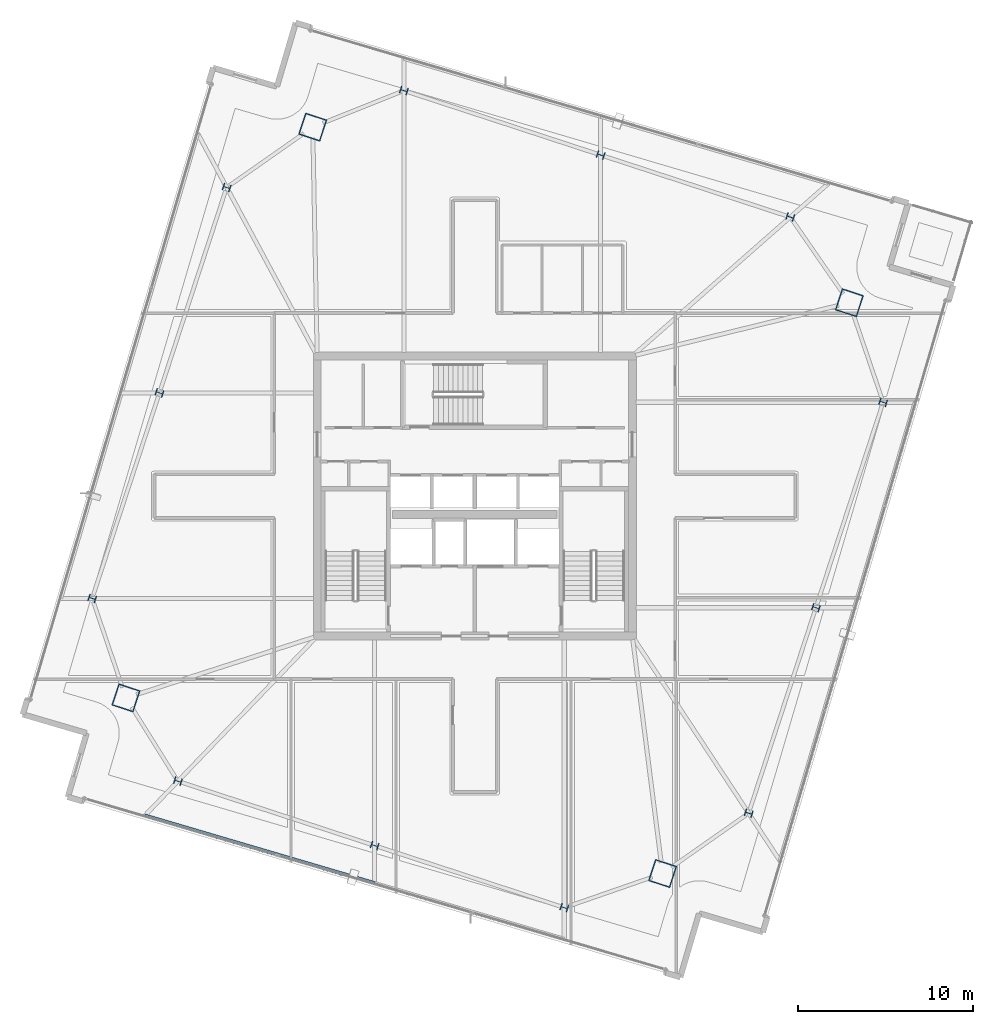
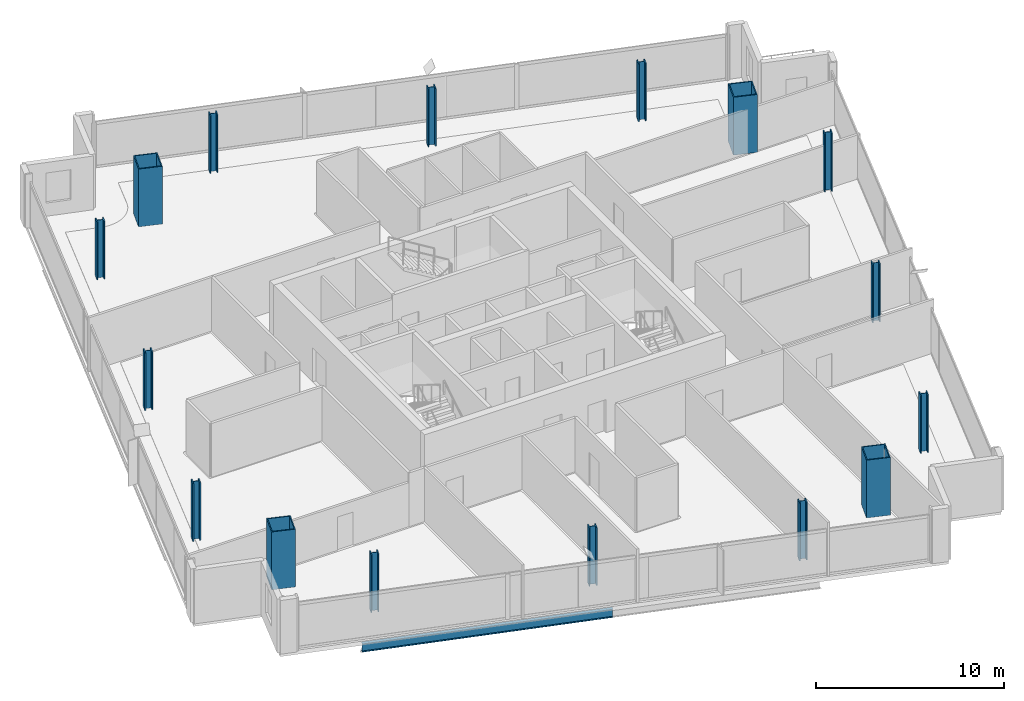
# One storey, part 1 of 26: 16 columns, 1 beam.
"""IFC4 building model written with IfcOpenShell, lengths in metres."""

from ifc_helpers import new_model, si_unit, direction, frame, origin, origin_2d, place, context, subcontext, project, spatial, hollow_rectangle, i_section, extrude, material, material_profile, profile_set, type_object, element, save


model = new_model("IFC4")

# Units and contexts
model_context = context("Model", 3, precision=1e-05, world=origin(), true_north=direction((0.0, 1.0)))
body_context = subcontext(model_context, "Body", "Model", "MODEL_VIEW")
ifc_project = project(units=[si_unit("LENGTHUNIT", "METRE"), si_unit("AREAUNIT", "SQUARE_METRE"), si_unit("VOLUMEUNIT", "CUBIC_METRE"), si_unit("PLANEANGLEUNIT", "RADIAN"), si_unit("MASSUNIT", "GRAM", prefix="KILO")], contexts=[model_context])

# Site, building, storey
site_placement = place(None, origin())
site = spatial("IfcSite", under=ifc_project, at=site_placement, CompositionType="ELEMENT")
building_placement = place(site_placement, origin())
building = spatial("IfcBuilding", under=site, at=building_placement, Name="Haldenkirk Collegiate Tower", CompositionType="ELEMENT")
storey_placement = place(building_placement, frame((0.0, 0.0, 274.949951171875)))
storey = spatial("IfcBuildingStorey", under=building, at=storey_placement, Name="L69", CompositionType="ELEMENT", Elevation=274.949951171875)

# Columns
ifc_material_1 = material(Name="Steel ASTM A913 Grade 65", Category="steel")
ifc_material_profile_1 = material_profile(ifc_material_1, i_section(OverallWidth=0.416015625, OverallDepth=0.445068359375, WebThickness=0.0390625, FlangeThickness=0.062744140625, at=origin_2d()), Name="W14X342")
ifc_profile_set_1 = profile_set([ifc_material_profile_1], Name="Steel ASTM A913 Grade 65")
column_type_1 = type_object("IfcColumnType", Name="COL-INT-W14X342", PredefinedType="COLUMN", material=ifc_profile_set_1)
for number, where, z_axis, x_axis, name in (
    (1, (51.64306640625, 7.888671875, 0.0), (0.0, 0.0, 1.0), (0.311008203279, 0.950407227189, 0.0), "L69 perimeter gravity column PC-S1"),
    (2, (55.4833984375, 19.624267578125, 0.0), (0.0, 0.0, 1.0), (0.311008203279, 0.950407227189, 0.0), "L69 perimeter gravity column PC-S2"),
    (3, (59.32373046875, 31.360107421875, 0.0), (0.0, 0.0, 1.0), (0.311008203279, 0.950407227189, 0.0), "L69 perimeter gravity column PC-S3"),
    (4, (54.01806640625, 41.9365234375, 0.0), (0.0, 0.0, 1.0), (0.311008203279, 0.950407227189, 0.0), "L69 perimeter gravity column PC-E1"),
    (5, (43.18994140625, 45.47998046875, 0.0), (0.0, 0.0, 1.0), (0.311008203279, 0.950407227189, 0.0), "L69 perimeter gravity column PC-E2"),
    (6, (31.949462890625, 49.158203125, 0.0), (0.0, 0.0, 1.0), (0.311008203279, 0.950407227189, 0.0), "L69 perimeter gravity column PC-E3"),
    (7, (21.830078125, 43.629150390625, 0.0), (0.0, 0.0, 1.0), (0.311008203279, 0.950407227189, 0.0), "L69 perimeter gravity column PC-N1"),
    (8, (17.98974609375, 31.8935546875, 0.0), (0.0, 0.0, 1.0), (0.311008203279, 0.950407227189, 0.0), "L69 perimeter gravity column PC-N2"),
    (9, (14.1494140625, 20.157958984375, 0.0), (0.0, 0.0, 1.0), (0.311008203279, 0.950407227189, 0.0), "L69 perimeter gravity column PC-N3"),
    (10, (19.042724609375, 9.71630859375, 0.0), (0.0, 0.0, 1.0), (0.311008203279, 0.950407227189, 0.0), "L69 perimeter gravity column PC-W1"),
    (11, (30.283203125, 6.0380859375, 0.0), (0.0, 0.0, 1.0), (0.311008203279, 0.950407227189, 0.0), "L69 perimeter gravity column PC-W2"),
    (12, (41.111083984375, 2.49462890625, 0.0), (0.0, 0.0, 1.0), (0.311008203279, 0.950407227189, 0.0), "L69 perimeter gravity column PC-W3"),
):
    element("IfcColumn", number, at=place(storey_placement, frame(where, z_axis=z_axis, x_axis=x_axis)), inside=storey, type_object=column_type_1, Name=name, PredefinedType="COLUMN", context=body_context, shape_type="SweptSolid", body=[
        extrude(i_section(OverallWidth=0.416015625, OverallDepth=0.445068359375, WebThickness=0.0390625, FlangeThickness=0.062744140625, at=origin_2d()), origin(), (0.0, 0.0, 1.0), 3.75),
    ])
ifc_material_2 = material(Name="Steel ASTM A572 Grade 50", Category="steel")
ifc_material_profile_2 = material_profile(ifc_material_2, hollow_rectangle(XDim=1.300048828125, YDim=1.300048828125, WallThickness=0.06005859375, at=origin_2d()), Name="BOX1300X1300X60")
ifc_profile_set_2 = profile_set([ifc_material_profile_2], Name="Steel ASTM A572 Grade 50")
column_type_2 = type_object("IfcColumnType", Name="COL-MEGA-BOX1300X1300X60", PredefinedType="COLUMN", material=ifc_profile_set_2)
for number, where, z_axis, x_axis, name in (
    (13, (46.72802734375, 4.444580078125, 0.0), (0.0, 0.0, 1.0), (0.311008203279, 0.950407227189, 0.0), "L69 corner mega-column MC1"),
    (14, (57.395751953125, 37.04345703125, 0.0), (0.0, 0.0, 1.0), (0.311008203279, 0.950407227189, 0.0), "L69 corner mega-column MC2"),
    (15, (26.7451171875, 47.073486328125, 0.0), (0.0, 0.0, 1.0), (0.311008203279, 0.950407227189, 0.0), "L69 corner mega-column MC3"),
    (16, (16.077392578125, 14.474609375, 0.0), (0.0, 0.0, 1.0), (0.311008203279, 0.950407227189, 0.0), "L69 corner mega-column MC4"),
):
    element("IfcColumn", number, at=place(storey_placement, frame(where, z_axis=z_axis, x_axis=x_axis)), inside=storey, type_object=column_type_2, Name=name, PredefinedType="COLUMN", context=body_context, shape_type="SweptSolid", body=[
        extrude(hollow_rectangle(XDim=1.300048828125, YDim=1.300048828125, WallThickness=0.06005859375, at=origin_2d()), origin(), (0.0, 0.0, 1.0), 3.75),
    ])

# Beam
ifc_material_3 = material(Name="Steel ASTM A992 Grade 50", Category="steel")
ifc_material_profile_3 = material_profile(ifc_material_3, i_section(OverallWidth=0.2099609375, OverallDepth=0.537109375, WebThickness=0.010986328125, FlangeThickness=0.017333984375, at=origin_2d()), Name="W21X68")
ifc_profile_set_3 = profile_set([ifc_material_profile_3], Name="Steel ASTM A992 Grade 50")
beam_type = type_object("IfcBeamType", Name="BM-SPANDREL-W21X68", PredefinedType="SPANDREL", material=ifc_profile_set_3)
beam_placement = place(storey_placement, frame((17.152587890625, 7.748779296875, -0.538330078125), z_axis=(0.959319760721, -0.282321796343, 0.0), x_axis=(0.282321796343, 0.959319760721, 0.0)))
element("IfcBeam", 17, at=beam_placement, inside=storey, type_object=beam_type, Name="L69 outer facade edge beam 4A", PredefinedType="SPANDREL", context=body_context, shape_type="SweptSolid", body=[
    extrude(i_section(OverallWidth=0.2099609375, OverallDepth=0.537109375, WebThickness=0.010986328125, FlangeThickness=0.017333984375, at=origin_2d()), origin(), (0.0, 0.0, 1.0), 13.6875),
])

save(model, "model.ifc")
